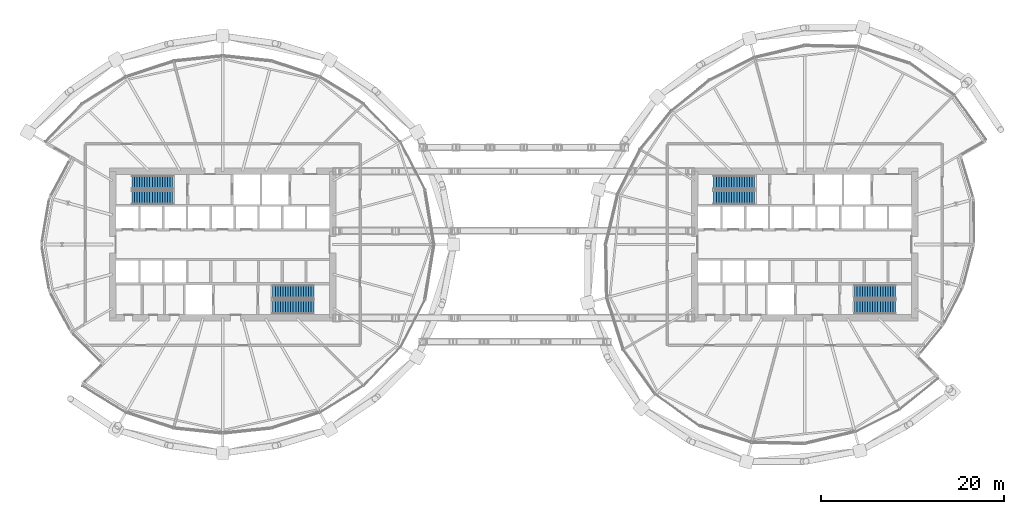
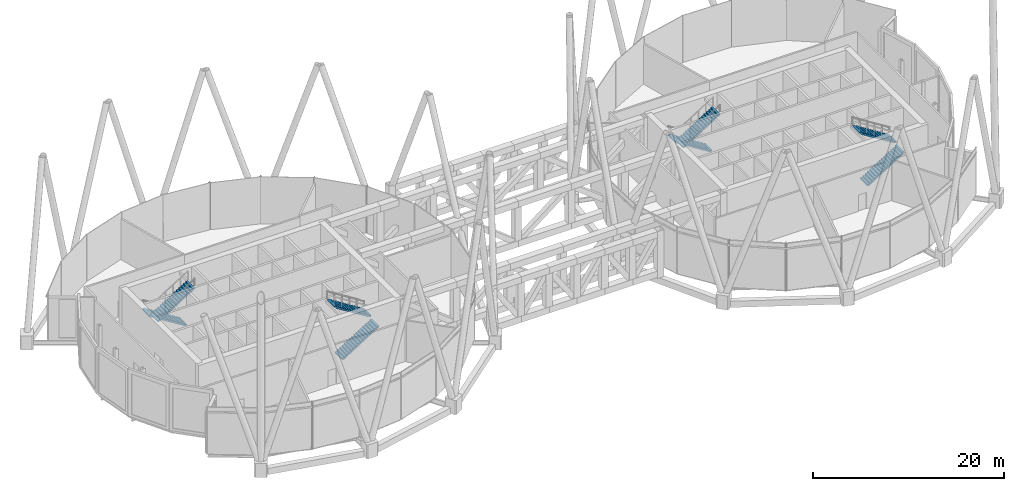
# One storey, part 36 of 39: 8 stair flights, 4 elements without a shape of their own.
"""IFC4 building model written with IfcOpenShell, lengths in metres."""

from ifc_helpers import new_model, si_unit, direction, frame, origin, place, context, subcontext, project, spatial, polyline, outline, extrude, material, type_object, element, aggregate, save


model = new_model("IFC4")

# Units and contexts
model_context = context("Model", 3, precision=1e-05, world=origin(), true_north=direction((0.0, 1.0)))
body_context = subcontext(model_context, "Body", "Model", "MODEL_VIEW")
ifc_project = project(units=[si_unit("LENGTHUNIT", "METRE"), si_unit("AREAUNIT", "SQUARE_METRE"), si_unit("VOLUMEUNIT", "CUBIC_METRE"), si_unit("PLANEANGLEUNIT", "RADIAN"), si_unit("MASSUNIT", "GRAM", prefix="KILO")], contexts=[model_context])

# Site, building, storey
site_placement = place(None, origin())
site = spatial("IfcSite", under=ifc_project, at=site_placement, CompositionType="ELEMENT")
building_placement = place(site_placement, origin())
building = spatial("IfcBuilding", under=site, at=building_placement, Name="Rimbun Link Towers", CompositionType="ELEMENT")
storey_placement = place(building_placement, frame((0.0, 0.0, 127.199951171875)))
storey = spatial("IfcBuildingStorey", under=building, at=storey_placement, Name="L31", CompositionType="ELEMENT", Elevation=127.199951171875)

# Stair, stair flights
ifc_material_1 = material(Name="Concrete C40/50", Category="concrete")
stair_type = type_object("IfcStairType", Name="Exit stair 6000 rise", PredefinedType="HALF_TURN_STAIR", material=ifc_material_1)
stair_1_placement = place(storey_placement, origin())
stair_1 = element("IfcStair", 1, at=stair_1_placement, inside=storey, type_object=stair_type, Name="L31 EXIT STAIR A", PredefinedType="HALF_TURN_STAIR")
ifc_material_2 = material(Name="Concrete C40/50", Category="concrete")
stair_flight_type = type_object("IfcStairFlightType", Name="Exit stair flight 6000 rise", PredefinedType="STRAIGHT", material=ifc_material_2)
stair_flight_1_placement = place(storey_placement, frame((-37.199951171875, 6.800048828125, 0.0), z_axis=(0.0, 0.0, 1.0), x_axis=(-1.0, 0.0, 0.0)))
stair_flight_1 = element("IfcStairFlight", 2, at=stair_flight_1_placement, type_object=stair_flight_type, Name="ST1 flight 1", NumberOfRisers=17, NumberOfTreads=16, PredefinedType="STRAIGHT", RiserHeight=0.176470588, TreadLength=0.28, context=body_context, shape_type="SweptSolid", body=[
    extrude(outline(polyline([(0.0, 0.0), (0.0, 0.176513671875), (0.280029296875, 0.176513671875), (0.280029296875, 0.35302734375), (0.56005859375, 0.35302734375), (0.56005859375, 0.529296875), (0.840087890625, 0.529296875), (0.840087890625, 0.705810546875), (1.1201171875, 0.705810546875), (1.1201171875, 0.88232421875), (1.39990234375, 0.88232421875), (1.39990234375, 1.058837890625), (1.679931640625, 1.058837890625), (1.679931640625, 1.2353515625), (1.9599609375, 1.2353515625), (1.9599609375, 1.411865234375), (2.239990234375, 1.411865234375), (2.239990234375, 1.588134765625), (2.52001953125, 1.588134765625), (2.52001953125, 1.7646484375), (2.800048828125, 1.7646484375), (2.800048828125, 1.941162109375), (3.080078125, 1.941162109375), (3.080078125, 2.11767578125), (3.360107421875, 2.11767578125), (3.360107421875, 2.294189453125), (3.639892578125, 2.294189453125), (3.639892578125, 2.470703125), (3.919921875, 2.470703125), (3.919921875, 2.64697265625), (4.199951171875, 2.64697265625), (4.199951171875, 2.823486328125), (4.47998046875, 2.823486328125), (4.47998046875, 3.0), (4.47998046875, 2.646240234375), (0.280029296875, 0.0), (0.0, 0.0)])), frame((0.0, 0.75, 0.0), z_axis=(0.0, -1.0, 0.0), x_axis=(1.0, 0.0, 0.0)), (0.0, 0.0, 1.0), 1.5),
])
stair_flight_2_placement = place(storey_placement, frame((-41.679931640625, 5.14990234375, 3.0), z_axis=(0.0, 0.0, 1.0), x_axis=(1.0, 0.0, 0.0)))
stair_flight_2 = element("IfcStairFlight", 3, at=stair_flight_2_placement, type_object=stair_flight_type, Name="ST1 flight 2", NumberOfRisers=17, NumberOfTreads=16, PredefinedType="STRAIGHT", RiserHeight=0.176470588, TreadLength=0.28, context=body_context, shape_type="SweptSolid", body=[
    extrude(outline(polyline([(0.0, 0.0), (0.0, 0.176513671875), (0.280029296875, 0.176513671875), (0.280029296875, 0.35302734375), (0.56005859375, 0.35302734375), (0.56005859375, 0.529296875), (0.840087890625, 0.529296875), (0.840087890625, 0.705810546875), (1.1201171875, 0.705810546875), (1.1201171875, 0.88232421875), (1.39990234375, 0.88232421875), (1.39990234375, 1.058837890625), (1.679931640625, 1.058837890625), (1.679931640625, 1.2353515625), (1.9599609375, 1.2353515625), (1.9599609375, 1.411865234375), (2.239990234375, 1.411865234375), (2.239990234375, 1.588134765625), (2.52001953125, 1.588134765625), (2.52001953125, 1.7646484375), (2.800048828125, 1.7646484375), (2.800048828125, 1.941162109375), (3.080078125, 1.941162109375), (3.080078125, 2.11767578125), (3.360107421875, 2.11767578125), (3.360107421875, 2.294189453125), (3.639892578125, 2.294189453125), (3.639892578125, 2.470703125), (3.919921875, 2.470703125), (3.919921875, 2.64697265625), (4.199951171875, 2.64697265625), (4.199951171875, 2.823486328125), (4.47998046875, 2.823486328125), (4.47998046875, 3.0), (4.47998046875, 2.646240234375), (0.280029296875, 0.0), (0.0, 0.0)])), frame((0.0, 0.75, 0.0), z_axis=(0.0, -1.0, 0.0), x_axis=(1.0, 0.0, 0.0)), (0.0, 0.0, 1.0), 1.5),
])
aggregate(stair_1, [stair_flight_1, stair_flight_2])

stair_2_placement = place(storey_placement, origin())
stair_2 = element("IfcStair", 4, at=stair_2_placement, inside=storey, type_object=stair_type, Name="L31 EXIT STAIR B", PredefinedType="HALF_TURN_STAIR")
stair_flight_3_placement = place(storey_placement, frame((-26.300048828125, -6.800048828125, 0.0), z_axis=(0.0, 0.0, 1.0), x_axis=(1.0, 0.0, 0.0)))
stair_flight_3 = element("IfcStairFlight", 5, at=stair_flight_3_placement, type_object=stair_flight_type, Name="ST2 flight 1", NumberOfRisers=17, NumberOfTreads=16, PredefinedType="STRAIGHT", RiserHeight=0.176470588, TreadLength=0.28, context=body_context, shape_type="SweptSolid", body=[
    extrude(outline(polyline([(0.0, 0.0), (0.0, 0.176513671875), (0.280029296875, 0.176513671875), (0.280029296875, 0.35302734375), (0.56005859375, 0.35302734375), (0.56005859375, 0.529296875), (0.840087890625, 0.529296875), (0.840087890625, 0.705810546875), (1.1201171875, 0.705810546875), (1.1201171875, 0.88232421875), (1.39990234375, 0.88232421875), (1.39990234375, 1.058837890625), (1.679931640625, 1.058837890625), (1.679931640625, 1.2353515625), (1.9599609375, 1.2353515625), (1.9599609375, 1.411865234375), (2.239990234375, 1.411865234375), (2.239990234375, 1.588134765625), (2.52001953125, 1.588134765625), (2.52001953125, 1.7646484375), (2.800048828125, 1.7646484375), (2.800048828125, 1.941162109375), (3.080078125, 1.941162109375), (3.080078125, 2.11767578125), (3.360107421875, 2.11767578125), (3.360107421875, 2.294189453125), (3.639892578125, 2.294189453125), (3.639892578125, 2.470703125), (3.919921875, 2.470703125), (3.919921875, 2.64697265625), (4.199951171875, 2.64697265625), (4.199951171875, 2.823486328125), (4.47998046875, 2.823486328125), (4.47998046875, 3.0), (4.47998046875, 2.646240234375), (0.280029296875, 0.0), (0.0, 0.0)])), frame((0.0, 0.75, 0.0), z_axis=(0.0, -1.0, 0.0), x_axis=(1.0, 0.0, 0.0)), (0.0, 0.0, 1.0), 1.5),
])
stair_flight_4_placement = place(storey_placement, frame((-21.820068359375, -5.14990234375, 3.0), z_axis=(0.0, 0.0, 1.0), x_axis=(-1.0, 0.0, 0.0)))
stair_flight_4 = element("IfcStairFlight", 6, at=stair_flight_4_placement, type_object=stair_flight_type, Name="ST2 flight 2", NumberOfRisers=17, NumberOfTreads=16, PredefinedType="STRAIGHT", RiserHeight=0.176470588, TreadLength=0.28, context=body_context, shape_type="SweptSolid", body=[
    extrude(outline(polyline([(0.0, 0.0), (0.0, 0.176513671875), (0.280029296875, 0.176513671875), (0.280029296875, 0.35302734375), (0.56005859375, 0.35302734375), (0.56005859375, 0.529296875), (0.840087890625, 0.529296875), (0.840087890625, 0.705810546875), (1.1201171875, 0.705810546875), (1.1201171875, 0.88232421875), (1.39990234375, 0.88232421875), (1.39990234375, 1.058837890625), (1.679931640625, 1.058837890625), (1.679931640625, 1.2353515625), (1.9599609375, 1.2353515625), (1.9599609375, 1.411865234375), (2.239990234375, 1.411865234375), (2.239990234375, 1.588134765625), (2.52001953125, 1.588134765625), (2.52001953125, 1.7646484375), (2.800048828125, 1.7646484375), (2.800048828125, 1.941162109375), (3.080078125, 1.941162109375), (3.080078125, 2.11767578125), (3.360107421875, 2.11767578125), (3.360107421875, 2.294189453125), (3.639892578125, 2.294189453125), (3.639892578125, 2.470703125), (3.919921875, 2.470703125), (3.919921875, 2.64697265625), (4.199951171875, 2.64697265625), (4.199951171875, 2.823486328125), (4.47998046875, 2.823486328125), (4.47998046875, 3.0), (4.47998046875, 2.646240234375), (0.280029296875, 0.0), (0.0, 0.0)])), frame((0.0, 0.75, 0.0), z_axis=(0.0, -1.0, 0.0), x_axis=(1.0, 0.0, 0.0)), (0.0, 0.0, 1.0), 1.5),
])
aggregate(stair_2, [stair_flight_3, stair_flight_4])

stair_3_placement = place(storey_placement, origin())
stair_3 = element("IfcStair", 7, at=stair_3_placement, inside=storey, type_object=stair_type, Name="L31 EXIT STAIR A", PredefinedType="HALF_TURN_STAIR")
stair_flight_5_placement = place(storey_placement, frame((26.300048828125, 6.800048828125, 0.0), z_axis=(0.0, 0.0, 1.0), x_axis=(-1.0, 0.0, 0.0)))
stair_flight_5 = element("IfcStairFlight", 8, at=stair_flight_5_placement, type_object=stair_flight_type, Name="ST3 flight 1", NumberOfRisers=17, NumberOfTreads=16, PredefinedType="STRAIGHT", RiserHeight=0.176470588, TreadLength=0.28, context=body_context, shape_type="SweptSolid", body=[
    extrude(outline(polyline([(0.0, 0.0), (0.0, 0.176513671875), (0.280029296875, 0.176513671875), (0.280029296875, 0.35302734375), (0.56005859375, 0.35302734375), (0.56005859375, 0.529296875), (0.840087890625, 0.529296875), (0.840087890625, 0.705810546875), (1.1201171875, 0.705810546875), (1.1201171875, 0.88232421875), (1.39990234375, 0.88232421875), (1.39990234375, 1.058837890625), (1.679931640625, 1.058837890625), (1.679931640625, 1.2353515625), (1.9599609375, 1.2353515625), (1.9599609375, 1.411865234375), (2.239990234375, 1.411865234375), (2.239990234375, 1.588134765625), (2.52001953125, 1.588134765625), (2.52001953125, 1.7646484375), (2.800048828125, 1.7646484375), (2.800048828125, 1.941162109375), (3.080078125, 1.941162109375), (3.080078125, 2.11767578125), (3.360107421875, 2.11767578125), (3.360107421875, 2.294189453125), (3.639892578125, 2.294189453125), (3.639892578125, 2.470703125), (3.919921875, 2.470703125), (3.919921875, 2.64697265625), (4.199951171875, 2.64697265625), (4.199951171875, 2.823486328125), (4.47998046875, 2.823486328125), (4.47998046875, 3.0), (4.47998046875, 2.646240234375), (0.280029296875, 0.0), (0.0, 0.0)])), frame((0.0, 0.75, 0.0), z_axis=(0.0, -1.0, 0.0), x_axis=(1.0, 0.0, 0.0)), (0.0, 0.0, 1.0), 1.5),
])
stair_flight_6_placement = place(storey_placement, frame((21.820068359375, 5.14990234375, 3.0), z_axis=(0.0, 0.0, 1.0), x_axis=(1.0, 0.0, 0.0)))
stair_flight_6 = element("IfcStairFlight", 9, at=stair_flight_6_placement, type_object=stair_flight_type, Name="ST3 flight 2", NumberOfRisers=17, NumberOfTreads=16, PredefinedType="STRAIGHT", RiserHeight=0.176470588, TreadLength=0.28, context=body_context, shape_type="SweptSolid", body=[
    extrude(outline(polyline([(0.0, 0.0), (0.0, 0.176513671875), (0.280029296875, 0.176513671875), (0.280029296875, 0.35302734375), (0.56005859375, 0.35302734375), (0.56005859375, 0.529296875), (0.840087890625, 0.529296875), (0.840087890625, 0.705810546875), (1.1201171875, 0.705810546875), (1.1201171875, 0.88232421875), (1.39990234375, 0.88232421875), (1.39990234375, 1.058837890625), (1.679931640625, 1.058837890625), (1.679931640625, 1.2353515625), (1.9599609375, 1.2353515625), (1.9599609375, 1.411865234375), (2.239990234375, 1.411865234375), (2.239990234375, 1.588134765625), (2.52001953125, 1.588134765625), (2.52001953125, 1.7646484375), (2.800048828125, 1.7646484375), (2.800048828125, 1.941162109375), (3.080078125, 1.941162109375), (3.080078125, 2.11767578125), (3.360107421875, 2.11767578125), (3.360107421875, 2.294189453125), (3.639892578125, 2.294189453125), (3.639892578125, 2.470703125), (3.919921875, 2.470703125), (3.919921875, 2.64697265625), (4.199951171875, 2.64697265625), (4.199951171875, 2.823486328125), (4.47998046875, 2.823486328125), (4.47998046875, 3.0), (4.47998046875, 2.646240234375), (0.280029296875, 0.0), (0.0, 0.0)])), frame((0.0, 0.75, 0.0), z_axis=(0.0, -1.0, 0.0), x_axis=(1.0, 0.0, 0.0)), (0.0, 0.0, 1.0), 1.5),
])
aggregate(stair_3, [stair_flight_5, stair_flight_6])

stair_4_placement = place(storey_placement, origin())
stair_4 = element("IfcStair", 10, at=stair_4_placement, inside=storey, type_object=stair_type, Name="L31 EXIT STAIR B", PredefinedType="HALF_TURN_STAIR")
stair_flight_7_placement = place(storey_placement, frame((37.199951171875, -6.800048828125, 0.0), z_axis=(0.0, 0.0, 1.0), x_axis=(1.0, 0.0, 0.0)))
stair_flight_7 = element("IfcStairFlight", 11, at=stair_flight_7_placement, type_object=stair_flight_type, Name="ST4 flight 1", NumberOfRisers=17, NumberOfTreads=16, PredefinedType="STRAIGHT", RiserHeight=0.176470588, TreadLength=0.28, context=body_context, shape_type="SweptSolid", body=[
    extrude(outline(polyline([(0.0, 0.0), (0.0, 0.176513671875), (0.280029296875, 0.176513671875), (0.280029296875, 0.35302734375), (0.56005859375, 0.35302734375), (0.56005859375, 0.529296875), (0.840087890625, 0.529296875), (0.840087890625, 0.705810546875), (1.1201171875, 0.705810546875), (1.1201171875, 0.88232421875), (1.39990234375, 0.88232421875), (1.39990234375, 1.058837890625), (1.679931640625, 1.058837890625), (1.679931640625, 1.2353515625), (1.9599609375, 1.2353515625), (1.9599609375, 1.411865234375), (2.239990234375, 1.411865234375), (2.239990234375, 1.588134765625), (2.52001953125, 1.588134765625), (2.52001953125, 1.7646484375), (2.800048828125, 1.7646484375), (2.800048828125, 1.941162109375), (3.080078125, 1.941162109375), (3.080078125, 2.11767578125), (3.360107421875, 2.11767578125), (3.360107421875, 2.294189453125), (3.639892578125, 2.294189453125), (3.639892578125, 2.470703125), (3.919921875, 2.470703125), (3.919921875, 2.64697265625), (4.199951171875, 2.64697265625), (4.199951171875, 2.823486328125), (4.47998046875, 2.823486328125), (4.47998046875, 3.0), (4.47998046875, 2.646240234375), (0.280029296875, 0.0), (0.0, 0.0)])), frame((0.0, 0.75, 0.0), z_axis=(0.0, -1.0, 0.0), x_axis=(1.0, 0.0, 0.0)), (0.0, 0.0, 1.0), 1.5),
])
stair_flight_8_placement = place(storey_placement, frame((41.679931640625, -5.14990234375, 3.0), z_axis=(0.0, 0.0, 1.0), x_axis=(-1.0, 0.0, 0.0)))
stair_flight_8 = element("IfcStairFlight", 12, at=stair_flight_8_placement, type_object=stair_flight_type, Name="ST4 flight 2", NumberOfRisers=17, NumberOfTreads=16, PredefinedType="STRAIGHT", RiserHeight=0.176470588, TreadLength=0.28, context=body_context, shape_type="SweptSolid", body=[
    extrude(outline(polyline([(0.0, 0.0), (0.0, 0.176513671875), (0.280029296875, 0.176513671875), (0.280029296875, 0.35302734375), (0.56005859375, 0.35302734375), (0.56005859375, 0.529296875), (0.840087890625, 0.529296875), (0.840087890625, 0.705810546875), (1.1201171875, 0.705810546875), (1.1201171875, 0.88232421875), (1.39990234375, 0.88232421875), (1.39990234375, 1.058837890625), (1.679931640625, 1.058837890625), (1.679931640625, 1.2353515625), (1.9599609375, 1.2353515625), (1.9599609375, 1.411865234375), (2.239990234375, 1.411865234375), (2.239990234375, 1.588134765625), (2.52001953125, 1.588134765625), (2.52001953125, 1.7646484375), (2.800048828125, 1.7646484375), (2.800048828125, 1.941162109375), (3.080078125, 1.941162109375), (3.080078125, 2.11767578125), (3.360107421875, 2.11767578125), (3.360107421875, 2.294189453125), (3.639892578125, 2.294189453125), (3.639892578125, 2.470703125), (3.919921875, 2.470703125), (3.919921875, 2.64697265625), (4.199951171875, 2.64697265625), (4.199951171875, 2.823486328125), (4.47998046875, 2.823486328125), (4.47998046875, 3.0), (4.47998046875, 2.646240234375), (0.280029296875, 0.0), (0.0, 0.0)])), frame((0.0, 0.75, 0.0), z_axis=(0.0, -1.0, 0.0), x_axis=(1.0, 0.0, 0.0)), (0.0, 0.0, 1.0), 1.5),
])
aggregate(stair_4, [stair_flight_7, stair_flight_8])

save(model, "model.ifc")
